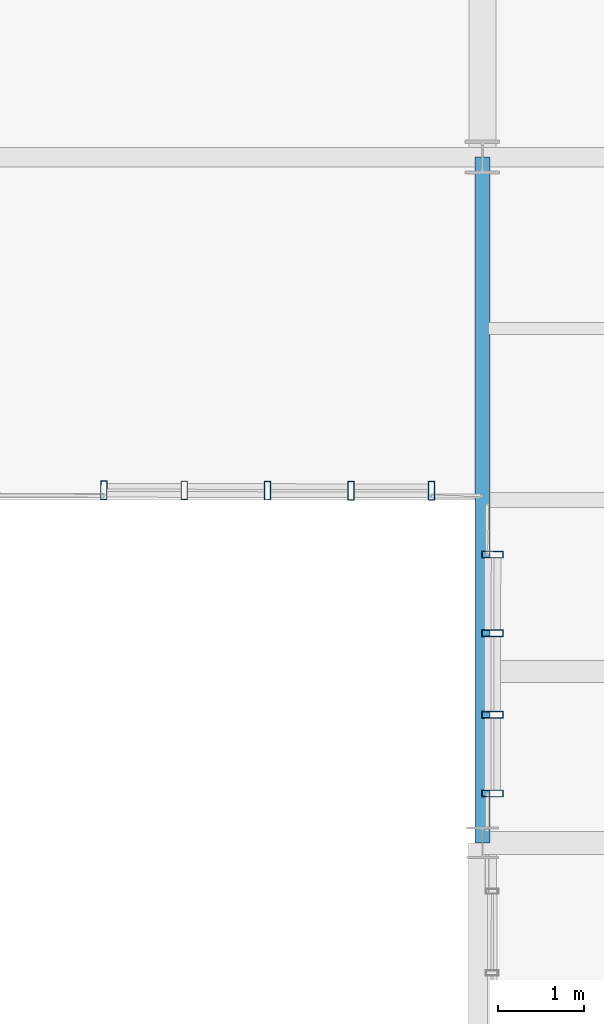
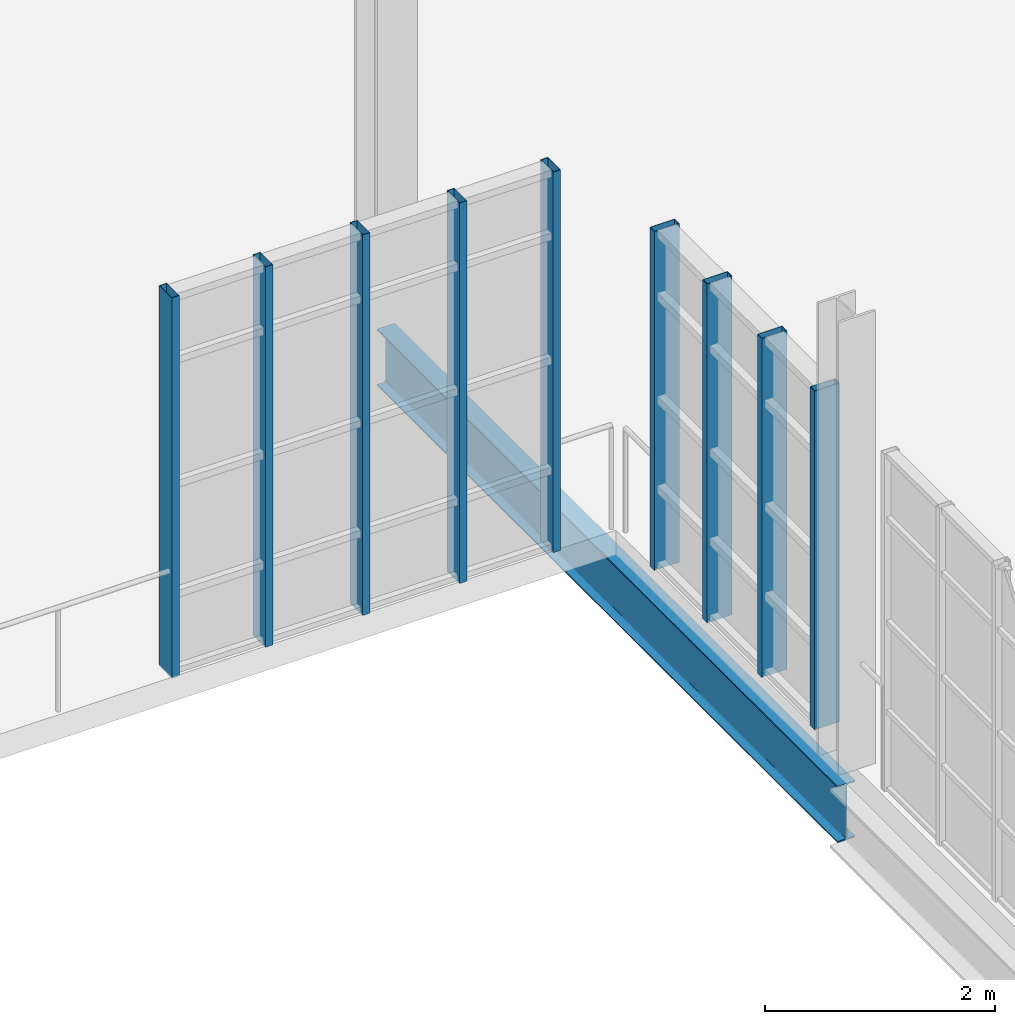
# One storey, part 37 of 122: 9 members, 1 beam, 2 elements without a shape of their own.
"""IFC4 building model written with IfcOpenShell, lengths in metres."""

from ifc_helpers import new_model, si_unit, direction, frame, origin, origin_2d, place, context, subcontext, project, spatial, hollow_rectangle, i_section, extrude, material, layer, layer_set, material_profile, profile_set, type_object, element, aggregate, save


model = new_model("IFC4")

# Units and contexts
model_context = context("Model", 3, precision=1e-05, world=origin(), true_north=direction((0.0, 1.0)))
body_context = subcontext(model_context, "Body", "Model", "MODEL_VIEW")
ifc_project = project(units=[si_unit("LENGTHUNIT", "METRE"), si_unit("AREAUNIT", "SQUARE_METRE"), si_unit("VOLUMEUNIT", "CUBIC_METRE"), si_unit("PLANEANGLEUNIT", "RADIAN"), si_unit("MASSUNIT", "GRAM", prefix="KILO"), si_unit("THERMODYNAMICTEMPERATUREUNIT", "KELVIN"), si_unit("POWERUNIT", "WATT")], contexts=[model_context])

# Site, building, storey
site_placement = place(None, origin())
site = spatial("IfcSite", under=ifc_project, at=site_placement, CompositionType="ELEMENT")
building_placement = place(site_placement, origin())
building = spatial("IfcBuilding", under=site, at=building_placement, Name="Zelmaris Science Centre", CompositionType="ELEMENT")
storey_placement = place(building_placement, frame((0.0, 0.0, 10.800048828125)))
storey = spatial("IfcBuildingStorey", under=building, at=storey_placement, Name="L02", CompositionType="ELEMENT", Elevation=10.800048828125)

# Curtain wall, members
ifc_material_1 = material(Name="Anodised architectural aluminium 6063-T6", Category="aluminium")
ifc_layer_1 = layer(ifc_material_1, 0.199951171875, Name="Anodised architectural aluminium 6063-T6")
ifc_layer_set_1 = layer_set([ifc_layer_1], Name="Anodised architectural aluminium 6063-T6")
curtain_wall_type_1 = type_object("IfcCurtainWallType", Name="Curtain Wall CW-02", PredefinedType="USERDEFINED", material=ifc_layer_set_1)
curtain_wall_1_placement = place(storey_placement, origin())
curtain_wall_1 = element("IfcCurtainWall", 1, at=curtain_wall_1_placement, inside=storey, type_object=curtain_wall_type_1, Name="L02 Unitised curtain wall 266", ObjectType="GLAZED CURTAIN WALL", PredefinedType="USERDEFINED")
ifc_material_profile_1 = material_profile(ifc_material_1, hollow_rectangle(XDim=0.074951171875, YDim=0.219970703125, WallThickness=0.0048828125, at=origin_2d()), Name="ALU-MUL-75X220")
ifc_profile_set_1 = profile_set([ifc_material_profile_1], Name="Anodised architectural aluminium 6063-T6")
member_type_1 = type_object("IfcMemberType", Name="ALU-MUL-75X220", PredefinedType="MULLION", material=ifc_profile_set_1)
member_1_placement = place(storey_placement, frame((116.40478515625, 44.107177734375, -0.01513671875), z_axis=(0.0, 0.0, 1.0), x_axis=(-0.999998836551, 0.001525417175, 0.0)))
member_1 = element("IfcMember", 2, at=member_1_placement, type_object=member_type_1, Name="CW-02 mullion 1", PredefinedType="MULLION", context=body_context, shape_type="SweptSolid", body=[
    extrude(hollow_rectangle(XDim=0.074951171875, YDim=0.219970703125, WallThickness=0.0048828125, at=origin_2d()), origin(), (0.0, 0.0, 1.0), 4.03515625),
])
member_2_placement = place(storey_placement, frame((115.466064453125, 44.108642578125, -0.01513671875), z_axis=(0.0, 0.0, 1.0), x_axis=(-0.999998836551, 0.001525417175, 0.0)))
member_2 = element("IfcMember", 3, at=member_2_placement, type_object=member_type_1, Name="CW-02 mullion 2", PredefinedType="MULLION", context=body_context, shape_type="SweptSolid", body=[
    extrude(hollow_rectangle(XDim=0.074951171875, YDim=0.219970703125, WallThickness=0.0048828125, at=origin_2d()), origin(), (0.0, 0.0, 1.0), 4.03515625),
])
member_3_placement = place(storey_placement, frame((114.493896484375, 44.110107421875, -0.01513671875), z_axis=(0.0, 0.0, 1.0), x_axis=(-0.999998836551, 0.001525417175, 0.0)))
member_3 = element("IfcMember", 4, at=member_3_placement, type_object=member_type_1, Name="CW-02 mullion 3", PredefinedType="MULLION", context=body_context, shape_type="SweptSolid", body=[
    extrude(hollow_rectangle(XDim=0.074951171875, YDim=0.219970703125, WallThickness=0.0048828125, at=origin_2d()), origin(), (0.0, 0.0, 1.0), 4.03515625),
])
member_4_placement = place(storey_placement, frame((113.521484375, 44.111572265625, -0.01513671875), z_axis=(0.0, 0.0, 1.0), x_axis=(-0.999998836551, 0.001525417175, 0.0)))
member_4 = element("IfcMember", 5, at=member_4_placement, type_object=member_type_1, Name="CW-02 mullion 4", PredefinedType="MULLION", context=body_context, shape_type="SweptSolid", body=[
    extrude(hollow_rectangle(XDim=0.074951171875, YDim=0.219970703125, WallThickness=0.0048828125, at=origin_2d()), origin(), (0.0, 0.0, 1.0), 4.03515625),
])
member_5_placement = place(storey_placement, frame((112.582763671875, 44.113037109375, -0.01513671875), z_axis=(0.0, 0.0, 1.0), x_axis=(-0.999998836551, 0.001525417175, 0.0)))
member_5 = element("IfcMember", 6, at=member_5_placement, type_object=member_type_1, Name="CW-02 mullion 5", PredefinedType="MULLION", context=body_context, shape_type="SweptSolid", body=[
    extrude(hollow_rectangle(XDim=0.074951171875, YDim=0.219970703125, WallThickness=0.0048828125, at=origin_2d()), origin(), (0.0, 0.0, 1.0), 4.03515625),
])
aggregate(curtain_wall_1, [member_1, member_2, member_3, member_4, member_5])

ifc_layer_2 = layer(ifc_material_1, 0.18994140625, Name="Anodised architectural aluminium 6063-T6")
ifc_layer_set_2 = layer_set([ifc_layer_2], Name="Anodised architectural aluminium 6063-T6")
curtain_wall_type_2 = type_object("IfcCurtainWallType", Name="Curtain Wall CW-01", PredefinedType="USERDEFINED", material=ifc_layer_set_2)
curtain_wall_2_placement = place(storey_placement, origin())
curtain_wall_2 = element("IfcCurtainWall", 7, at=curtain_wall_2_placement, inside=storey, type_object=curtain_wall_type_2, Name="L02 Unitised curtain wall 265", ObjectType="GLAZED CURTAIN WALL", PredefinedType="USERDEFINED")
ifc_material_profile_2 = material_profile(ifc_material_1, hollow_rectangle(XDim=0.080078125, YDim=0.25, WallThickness=0.0048828125, at=origin_2d()), Name="ALU-MUL-80X250")
ifc_profile_set_2 = profile_set([ifc_material_profile_2], Name="Anodised architectural aluminium 6063-T6")
member_type_2 = type_object("IfcMemberType", Name="ALU-MUL-80X250", PredefinedType="MULLION", material=ifc_profile_set_2)
member_6_placement = place(storey_placement, frame((117.116455078125, 40.575927734375, -0.01513671875), z_axis=(0.0, 0.0, 1.0), x_axis=(0.001019272107, 0.999999480542, 0.0)))
member_6 = element("IfcMember", 8, at=member_6_placement, type_object=member_type_2, Name="CW-01 mullion 1", PredefinedType="MULLION", context=body_context, shape_type="SweptSolid", body=[
    extrude(hollow_rectangle(XDim=0.080078125, YDim=0.25, WallThickness=0.0048828125, at=origin_2d()), origin(), (0.0, 0.0, 1.0), 3.593017578125),
])
member_7_placement = place(storey_placement, frame((117.117431640625, 41.4931640625, -0.01513671875), z_axis=(0.0, 0.0, 1.0), x_axis=(0.001019272107, 0.999999480542, 0.0)))
member_7 = element("IfcMember", 9, at=member_7_placement, type_object=member_type_2, Name="CW-01 mullion 2", PredefinedType="MULLION", context=body_context, shape_type="SweptSolid", body=[
    extrude(hollow_rectangle(XDim=0.080078125, YDim=0.25, WallThickness=0.0048828125, at=origin_2d()), origin(), (0.0, 0.0, 1.0), 3.593017578125),
])
member_8_placement = place(storey_placement, frame((117.118408203125, 42.446533203125, -0.01513671875), z_axis=(0.0, 0.0, 1.0), x_axis=(0.001019272107, 0.999999480542, 0.0)))
member_8 = element("IfcMember", 10, at=member_8_placement, type_object=member_type_2, Name="CW-01 mullion 3", PredefinedType="MULLION", context=body_context, shape_type="SweptSolid", body=[
    extrude(hollow_rectangle(XDim=0.080078125, YDim=0.25, WallThickness=0.0048828125, at=origin_2d()), origin(), (0.0, 0.0, 1.0), 3.593017578125),
])
member_9_placement = place(storey_placement, frame((117.119384765625, 43.364013671875, -0.01513671875), z_axis=(0.0, 0.0, 1.0), x_axis=(0.001019272107, 0.999999480542, 0.0)))
member_9 = element("IfcMember", 11, at=member_9_placement, type_object=member_type_2, Name="CW-01 mullion 4", PredefinedType="MULLION", context=body_context, shape_type="SweptSolid", body=[
    extrude(hollow_rectangle(XDim=0.080078125, YDim=0.25, WallThickness=0.0048828125, at=origin_2d()), origin(), (0.0, 0.0, 1.0), 3.593017578125),
])
aggregate(curtain_wall_2, [member_6, member_7, member_8, member_9])

# Beam
ifc_material_2 = material(Name="Steel ASTM A992 Grade 50", Category="steel")
ifc_material_profile_3 = material_profile(ifc_material_2, i_section(OverallWidth=0.177978515625, OverallDepth=0.59912109375, WebThickness=0.010009765625, FlangeThickness=0.0126953125, FilletRadius=0.014892578125, at=origin_2d()), Name="W24X55")
ifc_profile_set_3 = profile_set([ifc_material_profile_3], Name="Steel ASTM A992 Grade 50")
beam_type = type_object("IfcBeamType", Name="Beam G-38 W24X55", PredefinedType="BEAM", material=ifc_profile_set_3)
beam_placement = place(storey_placement, frame((117.0, 40.0, -0.5595703125), z_axis=(0.0, 1.0, 0.0), x_axis=(-1.0, 0.0, 0.0)))
element("IfcBeam", 12, at=beam_placement, inside=storey, type_object=beam_type, Name="L02 North-south girder 523", PredefinedType="BEAM", context=body_context, shape_type="SweptSolid", body=[
    extrude(i_section(OverallWidth=0.177978515625, OverallDepth=0.59912109375, WebThickness=0.010009765625, FlangeThickness=0.0126953125, FilletRadius=0.014892578125, at=origin_2d()), origin(), (0.0, 0.0, 1.0), 8.0),
])

save(model, "model.ifc")
